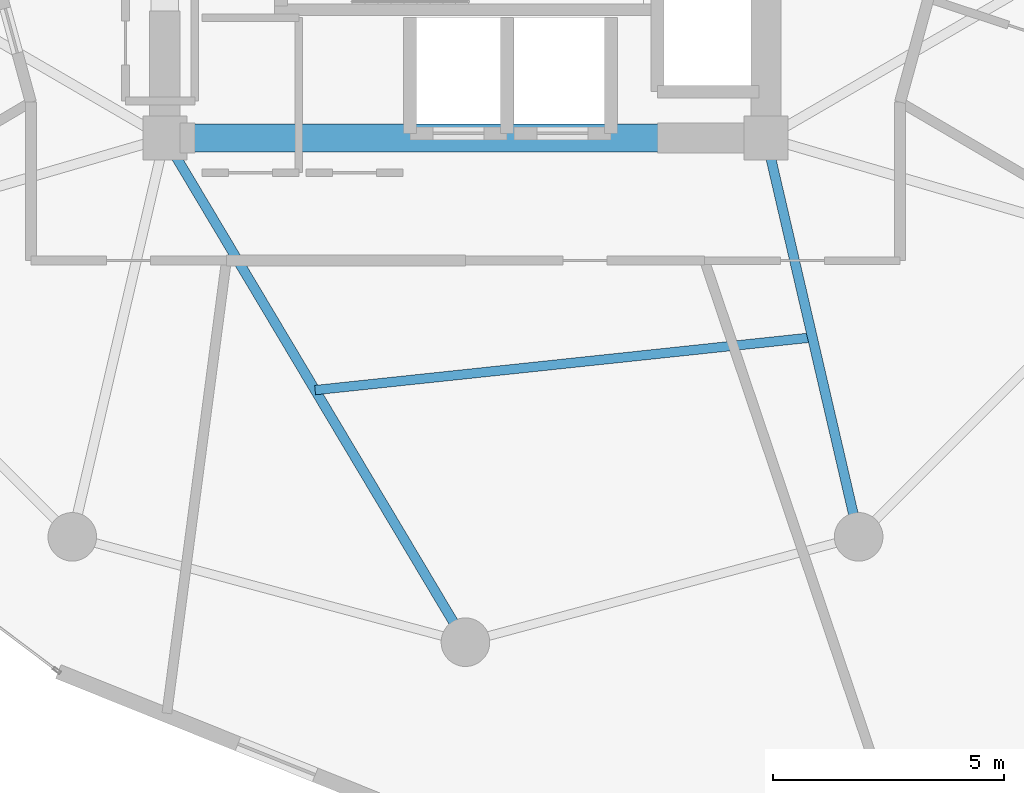
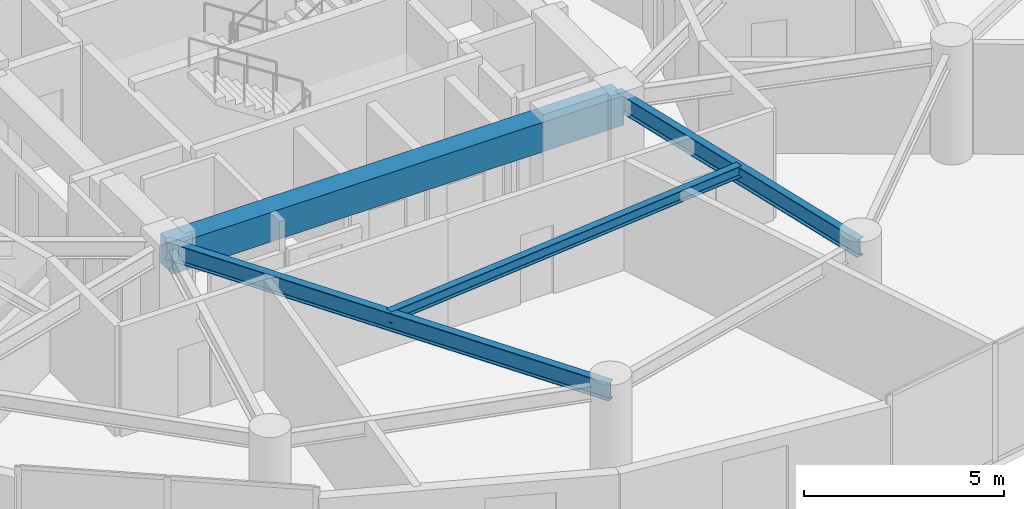
# One storey, part 5 of 23: 4 beams.
"""IFC4 building model written with IfcOpenShell, lengths in metres."""

from ifc_helpers import new_model, si_unit, direction, frame, origin, origin_2d, place, context, subcontext, project, spatial, rectangle, i_section, extrude, material, material_profile, profile_set, type_object, element, save


model = new_model("IFC4")

# Units and contexts
model_context = context("Model", 3, precision=1e-05, world=origin(), true_north=direction((0.0, 1.0)))
body_context = subcontext(model_context, "Body", "Model", "MODEL_VIEW")
ifc_project = project(units=[si_unit("LENGTHUNIT", "METRE"), si_unit("AREAUNIT", "SQUARE_METRE"), si_unit("VOLUMEUNIT", "CUBIC_METRE"), si_unit("PLANEANGLEUNIT", "RADIAN"), si_unit("MASSUNIT", "GRAM", prefix="KILO")], contexts=[model_context])

# Site, building, storey
site_placement = place(None, origin())
site = spatial("IfcSite", under=ifc_project, at=site_placement, CompositionType="ELEMENT")
building_placement = place(site_placement, origin())
building = spatial("IfcBuilding", under=site, at=building_placement, Name="Solvirekh Grand Hotel", CompositionType="ELEMENT")
storey_placement = place(building_placement, frame((0.0, 0.0, 109.800048828125)))
storey = spatial("IfcBuildingStorey", under=building, at=storey_placement, Name="L27", CompositionType="ELEMENT", Elevation=109.800048828125)

# Beams
ifc_material_1 = material(Name="Concrete C50/60", Category="concrete")
ifc_material_profile_1 = material_profile(ifc_material_1, rectangle(XDim=0.60009765625, YDim=0.89990234375, at=origin_2d()), Name="RC BEAM 600X900")
ifc_profile_set_1 = profile_set([ifc_material_profile_1], Name="Concrete C50/60")
beam_type_1 = type_object("IfcBeamType", Name="Beam_Core_RC900", PredefinedType="BEAM", material=ifc_profile_set_1)
beam_1_placement = place(storey_placement, frame((-6.5, -6.10009765625, 2.89990234375), z_axis=(1.0, 0.0, 0.0), x_axis=(0.0, 1.0, 0.0)))
element("IfcBeam", 1, at=beam_1_placement, inside=storey, type_object=beam_type_1, Name="L27 core coupling ring beam 1", PredefinedType="BEAM", context=body_context, shape_type="SweptSolid", body=[
    extrude(rectangle(XDim=0.60009765625, YDim=0.89990234375, at=origin_2d()), origin(), (0.0, 0.0, 1.0), 13.0),
])
ifc_material_2 = material(Name="Steel S355", Category="steel")
ifc_material_profile_2 = material_profile(ifc_material_2, i_section(OverallWidth=0.2119140625, OverallDepth=0.5439453125, WebThickness=0.011962890625, FlangeThickness=0.01904296875, FilletRadius=0.013916015625, at=origin_2d()), Name="W530X123")
ifc_profile_set_2 = profile_set([ifc_material_profile_2], Name="Steel S355")
beam_type_2 = type_object("IfcBeamType", Name="Beam_Radial_W530H", PredefinedType="BEAM", material=ifc_profile_set_2)
beam_2_placement = place(storey_placement, frame((-6.5, -6.10009765625, 3.077880859375), z_axis=(0.512179721377, -0.858878299301, 0.0), x_axis=(0.858878299301, 0.512179721377, 0.0)))
element("IfcBeam", 2, at=beam_2_placement, inside=storey, type_object=beam_type_2, Name="L27 radial floor beam R10", PredefinedType="BEAM", context=body_context, shape_type="SweptSolid", body=[
    extrude(i_section(OverallWidth=0.2119140625, OverallDepth=0.5439453125, WebThickness=0.011962890625, FlangeThickness=0.01904296875, FilletRadius=0.013916015625, at=origin_2d()), origin(), (0.0, 0.0, 1.0), 12.69091796875),
])
beam_3_placement = place(storey_placement, frame((6.5, -6.10009765625, 3.077880859375), z_axis=(0.225969390542, -0.974134402707, 0.0), x_axis=(0.974134402707, 0.225969390542, 0.0)))
element("IfcBeam", 3, at=beam_3_placement, inside=storey, type_object=beam_type_2, Name="L27 radial floor beam R11", PredefinedType="BEAM", context=body_context, shape_type="SweptSolid", body=[
    extrude(i_section(OverallWidth=0.2119140625, OverallDepth=0.5439453125, WebThickness=0.011962890625, FlangeThickness=0.01904296875, FilletRadius=0.013916015625, at=origin_2d()), origin(), (0.0, 0.0, 1.0), 8.850830078125),
])
ifc_material_profile_3 = material_profile(ifc_material_2, i_section(OverallWidth=0.2041015625, OverallDepth=0.35009765625, WebThickness=0.009033203125, FlangeThickness=0.014892578125, FilletRadius=0.010986328125, at=origin_2d()), Name="W360X72")
ifc_profile_set_3 = profile_set([ifc_material_profile_3], Name="Steel S355")
beam_type_3 = type_object("IfcBeamType", Name="Joist_Floor_W360", PredefinedType="JOIST", material=ifc_profile_set_3)
beam_4_placement = place(storey_placement, frame((-3.25, -11.550048828125, 3.175048828125), z_axis=(0.994432198761, 0.105378375714, 0.0), x_axis=(-0.105378375714, 0.994432198761, 0.0)))
element("IfcBeam", 4, at=beam_4_placement, inside=storey, type_object=beam_type_3, Name="L27 secondary composite floor joist 10", PredefinedType="JOIST", context=body_context, shape_type="SweptSolid", body=[
    extrude(i_section(OverallWidth=0.2041015625, OverallDepth=0.35009765625, WebThickness=0.009033203125, FlangeThickness=0.014892578125, FilletRadius=0.010986328125, at=origin_2d()), origin(), (0.0, 0.0, 1.0), 10.810302734375),
])

save(model, "model.ifc")
